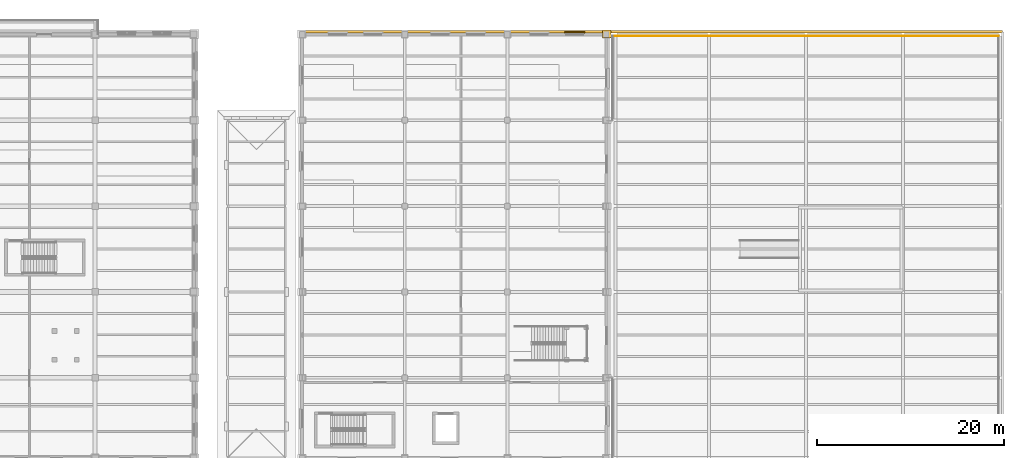
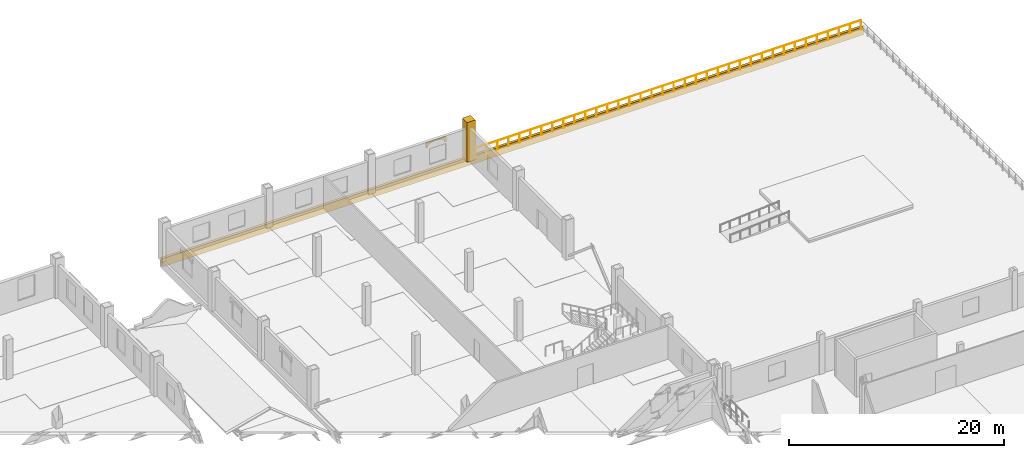
# One storey, part 156 of 156: 3 coverings, 1 railing.
"""IFC4 building model written with IfcOpenShell, lengths in metres."""

from ifc_helpers import new_model, si_unit, direction, frame, frame_2d, origin, origin_2d, place, context, subcontext, project, spatial, polyline, rectangle, circle, outline, extrude, material, layer, layer_set, type_object, element, save


model = new_model("IFC4")

# Units and contexts
model_context = context("Model", 3, precision=1e-05, world=origin(), true_north=direction((0.0, 1.0)))
body_context = subcontext(model_context, "Body", "Model", "MODEL_VIEW")
ifc_project = project(units=[si_unit("LENGTHUNIT", "METRE"), si_unit("AREAUNIT", "SQUARE_METRE"), si_unit("VOLUMEUNIT", "CUBIC_METRE"), si_unit("PLANEANGLEUNIT", "RADIAN"), si_unit("MASSUNIT", "GRAM", prefix="KILO")], contexts=[model_context])

# Site, building, storey
site_placement = place(None, origin())
site = spatial("IfcSite", under=ifc_project, at=site_placement, CompositionType="ELEMENT")
building_placement = place(site_placement, origin())
building = spatial("IfcBuilding", under=site, at=building_placement, Name="Caurita Quay Ferry Terminal", CompositionType="ELEMENT")
storey_placement = place(building_placement, frame((0.0, 0.0, 5.39990234375)))
storey = spatial("IfcBuildingStorey", under=building, at=storey_placement, Name="L01", CompositionType="ELEMENT", Elevation=5.39990234375)

# Coverings
ifc_material_1 = material(Name="Coral stone ashlar cladding", Category="masonry")
ifc_layer_1 = layer(ifc_material_1, 0.239990234375, Name="Classical coral-stone entablature and cornice moulding 240 mm")
ifc_layer_set_1 = layer_set([ifc_layer_1], Name="Coral stone ashlar cladding")
covering_type_1 = type_object("IfcCoveringType", Name="COV-ENT-MLD", PredefinedType="MOLDING", material=ifc_layer_set_1)
covering_1_placement = place(storey_placement, frame((174.280029296875, 117.280029296875, -0.849853515625), z_axis=(0.0, 0.0, 1.0), x_axis=(-1.0, 0.0, 0.0)))
element("IfcCovering", 1, at=covering_1_placement, inside=storey, type_object=covering_type_1, Name="L01 Classical Entablature Cornice 034", PredefinedType="MOLDING", context=body_context, shape_type="SweptSolid", body=[
    extrude(rectangle(XDim=75.330078125, YDim=0.280029296875, at=frame_2d((37.6650390625, 0.0))), origin(), (0.0, 0.0, 1.0), 0.929931640625),
])
ifc_material_2 = material(Name="Warm-white lime stucco masonry", Category="masonry")
ifc_layer_2 = layer(ifc_material_2, 0.179931640625, Name="Classical engaged lime-stucco facade pilaster cladding 180 mm")
ifc_layer_set_2 = layer_set([ifc_layer_2], Name="Warm-white lime stucco masonry")
covering_type_2 = type_object("IfcCoveringType", Name="COV-PIL-CLD", PredefinedType="CLADDING", material=ifc_layer_set_2)
covering_2_placement = place(storey_placement, frame((131.85009765625, 117.050048828125, 0.0), z_axis=(0.0, 0.0, 1.0), x_axis=(1.0, 0.0, 0.0)))
element("IfcCovering", 2, at=covering_2_placement, inside=storey, type_object=covering_type_2, Name="L01 Classical Engaged Pilaster 0235", PredefinedType="CLADDING", context=body_context, shape_type="SweptSolid", body=[
    extrude(rectangle(XDim=0.8798828125, YDim=0.8798828125, at=origin_2d()), origin(), (0.0, 0.0, 1.0), 4.5),
])
ifc_layer_3 = layer(ifc_material_1, 0.139892578125, Name="Spanish Colonial semicircular arched window surround 140 mm")
ifc_layer_set_3 = layer_set([ifc_layer_3], Name="Coral stone ashlar cladding")
covering_type_3 = type_object("IfcCoveringType", Name="COV-WHD-MLD", PredefinedType="MOLDING", material=ifc_layer_set_3)
covering_3_placement = place(storey_placement, frame((129.47998046875, 117.215087890625, 2.72998046875), z_axis=(0.0, 0.0, 1.0), x_axis=(-1.0, 0.0, 0.0)))
element("IfcCovering", 3, at=covering_3_placement, inside=storey, type_object=covering_type_3, Name="L01 Arched Window Surround 195", PredefinedType="MOLDING", context=body_context, shape_type="SweptSolid", body=[
    extrude(outline(polyline([(0.0, 0.0), (0.159912109375, 0.0), (0.159912109375, 0.0400390625), (0.205078125, 0.1728515625), (0.335693359375, 0.292724609375), (0.539306640625, 0.387939453125), (0.795654296875, 0.448974609375), (1.080078125, 0.469970703125), (1.3642578125, 0.448974609375), (1.62060546875, 0.387939453125), (1.82421875, 0.292724609375), (1.954833984375, 0.1728515625), (2.0, 0.0400390625), (2.0, 0.0), (2.159912109375, 0.0), (2.159912109375, 0.550048828125), (0.0, 0.550048828125), (0.0, 0.0)])), frame((0.0, 0.06982421875, 0.0), z_axis=(0.0, -1.0, 0.0), x_axis=(1.0, 0.0, 0.0)), (0.0, 0.0, 1.0), 0.139892578125),
])

# Railing
ifc_material_3 = material(Name="Bronze architectural metalwork", Category="metal")
railing_type = type_object("IfcRailingType", Name="RL-REJA-115", PredefinedType="BALUSTRADE", material=ifc_material_3)
railing_placement = place(storey_placement, frame((173.85009765625, 116.85009765625, 0.0)))
element("IfcRailing", 4, at=railing_placement, inside=storey, type_object=railing_type, Name="Lower Roof Garden Balustrade N-E-S (017)", PredefinedType="BALUSTRADE", context=body_context, shape_type="SweptSolid", body=[
    extrude(circle(Radius=0.02392578125, at=origin_2d()), frame((0.0, 0.0, 1.1259765625), z_axis=(-1.0, 0.0, 0.0), x_axis=(0.0, -1.0, 0.0)), (0.0, 0.0, 1.0), 41.400146484375),
    extrude(circle(Radius=0.02099609375, at=origin_2d()), origin(), (0.0, 0.0, 1.0), 1.101806640625),
    extrude(circle(Radius=0.02099609375, at=origin_2d()), frame((-1.182861328125, 0.0, 0.0)), (0.0, 0.0, 1.0), 1.101806640625),
    extrude(circle(Radius=0.02099609375, at=origin_2d()), frame((-2.36572265625, 0.0, 0.0)), (0.0, 0.0, 1.0), 1.101806640625),
    extrude(circle(Radius=0.02099609375, at=origin_2d()), frame((-3.548583984375, 0.0, 0.0)), (0.0, 0.0, 1.0), 1.101806640625),
    extrude(circle(Radius=0.02099609375, at=origin_2d()), frame((-4.7314453125, 0.0, 0.0)), (0.0, 0.0, 1.0), 1.101806640625),
    extrude(circle(Radius=0.02099609375, at=origin_2d()), frame((-5.914306640625, 0.0, 0.0)), (0.0, 0.0, 1.0), 1.101806640625),
    extrude(circle(Radius=0.02099609375, at=origin_2d()), frame((-7.09716796875, 0.0, 0.0)), (0.0, 0.0, 1.0), 1.101806640625),
    extrude(circle(Radius=0.02099609375, at=origin_2d()), frame((-8.280029296875, 0.0, 0.0)), (0.0, 0.0, 1.0), 1.101806640625),
    extrude(circle(Radius=0.02099609375, at=origin_2d()), frame((-9.462890625, 0.0, 0.0)), (0.0, 0.0, 1.0), 1.101806640625),
    extrude(circle(Radius=0.02099609375, at=origin_2d()), frame((-10.645751953125, 0.0, 0.0)), (0.0, 0.0, 1.0), 1.101806640625),
    extrude(circle(Radius=0.02099609375, at=origin_2d()), frame((-11.82861328125, 0.0, 0.0)), (0.0, 0.0, 1.0), 1.101806640625),
    extrude(circle(Radius=0.02099609375, at=origin_2d()), frame((-13.011474609375, 0.0, 0.0)), (0.0, 0.0, 1.0), 1.101806640625),
    extrude(circle(Radius=0.02099609375, at=origin_2d()), frame((-14.1943359375, 0.0, 0.0)), (0.0, 0.0, 1.0), 1.101806640625),
    extrude(circle(Radius=0.02099609375, at=origin_2d()), frame((-15.377197265625, 0.0, 0.0)), (0.0, 0.0, 1.0), 1.101806640625),
    extrude(circle(Radius=0.02099609375, at=origin_2d()), frame((-16.56005859375, 0.0, 0.0)), (0.0, 0.0, 1.0), 1.101806640625),
    extrude(circle(Radius=0.02099609375, at=origin_2d()), frame((-17.742919921875, 0.0, 0.0)), (0.0, 0.0, 1.0), 1.101806640625),
    extrude(circle(Radius=0.02099609375, at=origin_2d()), frame((-18.92578125, 0.0, 0.0)), (0.0, 0.0, 1.0), 1.101806640625),
    extrude(circle(Radius=0.02099609375, at=origin_2d()), frame((-20.108642578125, 0.0, 0.0)), (0.0, 0.0, 1.0), 1.101806640625),
    extrude(circle(Radius=0.02099609375, at=origin_2d()), frame((-21.29150390625, 0.0, 0.0)), (0.0, 0.0, 1.0), 1.101806640625),
    extrude(circle(Radius=0.02099609375, at=origin_2d()), frame((-22.474365234375, 0.0, 0.0)), (0.0, 0.0, 1.0), 1.101806640625),
    extrude(circle(Radius=0.02099609375, at=origin_2d()), frame((-23.6572265625, 0.0, 0.0)), (0.0, 0.0, 1.0), 1.101806640625),
    extrude(circle(Radius=0.02099609375, at=origin_2d()), frame((-24.840087890625, 0.0, 0.0)), (0.0, 0.0, 1.0), 1.101806640625),
    extrude(circle(Radius=0.02099609375, at=origin_2d()), frame((-26.02294921875, 0.0, 0.0)), (0.0, 0.0, 1.0), 1.101806640625),
    extrude(circle(Radius=0.02099609375, at=origin_2d()), frame((-27.205810546875, 0.0, 0.0)), (0.0, 0.0, 1.0), 1.101806640625),
    extrude(circle(Radius=0.02099609375, at=origin_2d()), frame((-28.388671875, 0.0, 0.0)), (0.0, 0.0, 1.0), 1.101806640625),
    extrude(circle(Radius=0.02099609375, at=origin_2d()), frame((-29.571533203125, 0.0, 0.0)), (0.0, 0.0, 1.0), 1.101806640625),
    extrude(circle(Radius=0.02099609375, at=origin_2d()), frame((-30.75439453125, 0.0, 0.0)), (0.0, 0.0, 1.0), 1.101806640625),
    extrude(circle(Radius=0.02099609375, at=origin_2d()), frame((-31.937255859375, 0.0, 0.0)), (0.0, 0.0, 1.0), 1.101806640625),
    extrude(circle(Radius=0.02099609375, at=origin_2d()), frame((-33.1201171875, 0.0, 0.0)), (0.0, 0.0, 1.0), 1.101806640625),
    extrude(circle(Radius=0.02099609375, at=origin_2d()), frame((-34.302978515625, 0.0, 0.0)), (0.0, 0.0, 1.0), 1.101806640625),
    extrude(circle(Radius=0.02099609375, at=origin_2d()), frame((-35.48583984375, 0.0, 0.0)), (0.0, 0.0, 1.0), 1.101806640625),
    extrude(circle(Radius=0.02099609375, at=origin_2d()), frame((-36.668701171875, 0.0, 0.0)), (0.0, 0.0, 1.0), 1.101806640625),
    extrude(circle(Radius=0.02099609375, at=origin_2d()), frame((-37.8515625, 0.0, 0.0)), (0.0, 0.0, 1.0), 1.101806640625),
    extrude(circle(Radius=0.02099609375, at=origin_2d()), frame((-39.034423828125, 0.0, 0.0)), (0.0, 0.0, 1.0), 1.101806640625),
    extrude(circle(Radius=0.02099609375, at=origin_2d()), frame((-40.21728515625, 0.0, 0.0)), (0.0, 0.0, 1.0), 1.101806640625),
    extrude(circle(Radius=0.02099609375, at=origin_2d()), frame((-41.400146484375, 0.0, 0.0)), (0.0, 0.0, 1.0), 1.101806640625),
])

save(model, "model.ifc")
